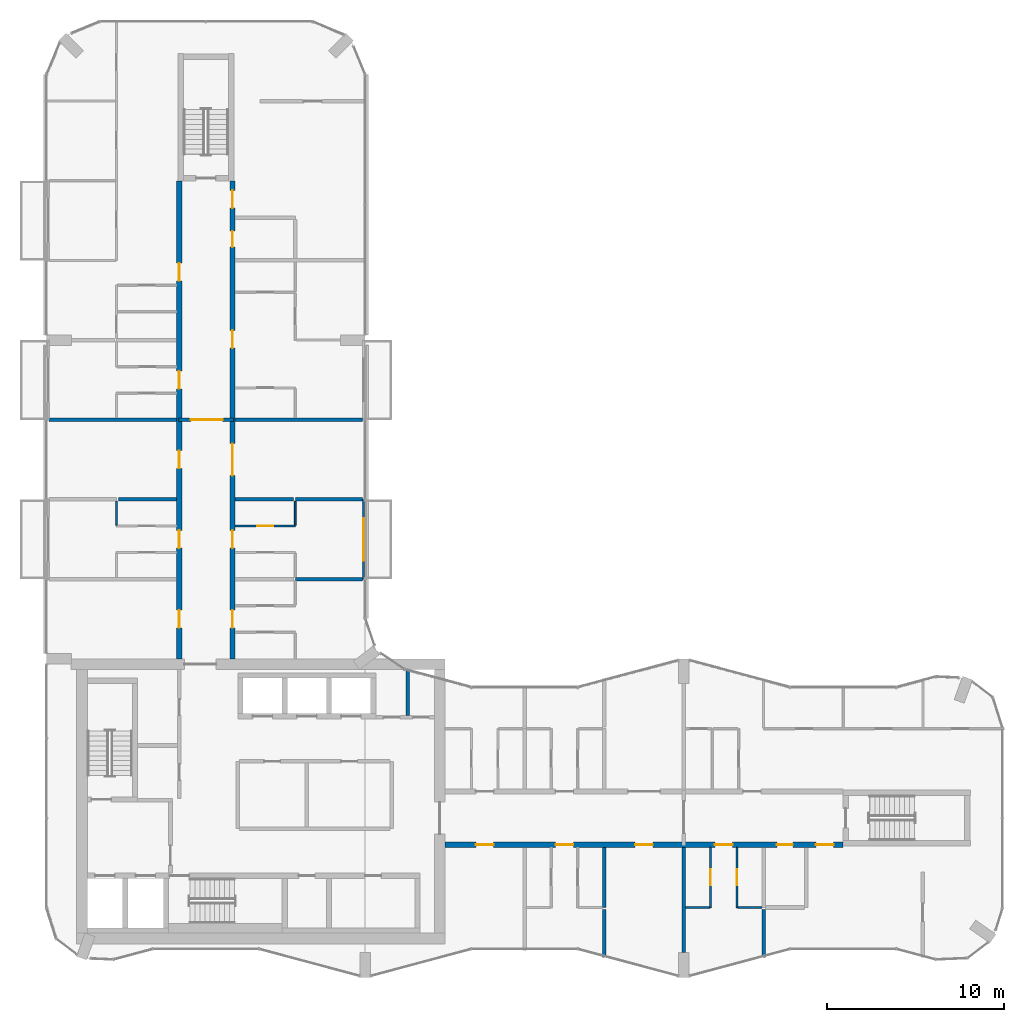
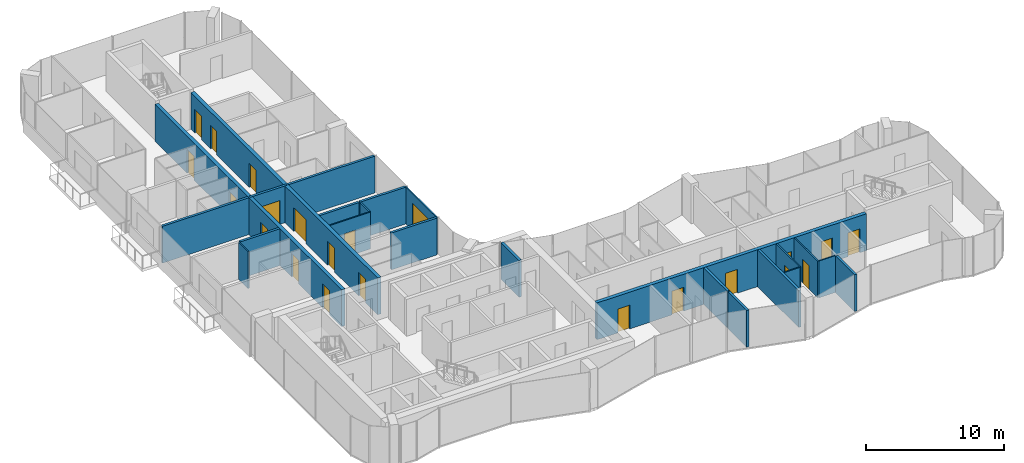
# One storey, part 11 of 16: 23 walls, 22 doors, 22 openings.
"""IFC4 building model written with IfcOpenShell, lengths in metres."""

from ifc_helpers import new_model, si_unit, direction, frame, frame_2d, origin, place, context, subcontext, project, spatial, rectangle, extrude, material, layer, layer_set, type_object, element, fill, save


model = new_model("IFC4")

# Units and contexts
model_context = context("Model", 3, precision=1e-05, world=origin(), true_north=direction((0.0, 1.0)))
body_context = subcontext(model_context, "Body", "Model", "MODEL_VIEW")
ifc_project = project(units=[si_unit("LENGTHUNIT", "METRE"), si_unit("AREAUNIT", "SQUARE_METRE"), si_unit("VOLUMEUNIT", "CUBIC_METRE"), si_unit("PLANEANGLEUNIT", "RADIAN"), si_unit("MASSUNIT", "GRAM", prefix="KILO")], contexts=[model_context])

# Site, building, storey
site_placement = place(None, origin())
site = spatial("IfcSite", under=ifc_project, at=site_placement, CompositionType="ELEMENT")
building_placement = place(site_placement, origin())
building = spatial("IfcBuilding", under=site, at=building_placement, Name="Plateau Cross Towers", CompositionType="ELEMENT")
storey_placement = place(building_placement, frame((0.0, 0.0, 163.89990234375)))
storey = spatial("IfcBuildingStorey", under=building, at=storey_placement, Name="L42", CompositionType="ELEMENT", Elevation=163.89990234375)

# Wall, opening, door
ifc_material_1 = material(Name="Aluminium framed glazing", Category="aluminium")
ifc_layer_1 = layer(ifc_material_1, 0.10009765625)
ifc_layer_set_1 = layer_set([ifc_layer_1], Name="Aluminium framed glazing")
wall_type_1 = type_object("IfcWallType", Name="Balcony screen wall 100", PredefinedType="STANDARD", material=ifc_layer_set_1)
wall_1_placement = place(storey_placement, frame((17.89990234375, 27.0, 0.0), z_axis=(0.0, 0.0, 1.0), x_axis=(0.0, -1.0, 0.0)))
wall_1 = element("IfcWall", 1, at=wall_1_placement, inside=storey, type_object=wall_type_1, Name="Balcony screen wall A-BAL-L42-04", PredefinedType="STANDARD", context=body_context, shape_type="SweptSolid", body=[
    extrude(rectangle(XDim=4.5, YDim=0.10009765625, at=frame_2d((2.25, 0.0))), origin(), (0.0, 0.0, 1.0), 3.25),
])
opening_1_placement = place(wall_1_placement, frame((1.050048828125, 0.0, 0.0)))
opening_1 = element("IfcOpeningElement", 2, at=opening_1_placement, cuts=wall_1, Name="Opening D-B24", PredefinedType="OPENING", context=body_context, shape_type="SweptSolid", body=[
    extrude(rectangle(XDim=2.39990234375, YDim=2.39990234375, at=frame_2d((1.199951171875, 1.199951171875))), frame((0.0, 0.06005859375, 0.0), z_axis=(0.0, -1.0, 0.0), x_axis=(1.0, 0.0, 0.0)), (0.0, 0.0, 1.0), 0.1201171875),
])
ifc_material_2 = material(Name="Aluminium frame, double glazing", Category="aluminium")
door_type_1 = type_object("IfcDoorType", Name="Balcony sliding door 2400", OperationType="NOTDEFINED", PredefinedType="DOOR", material=ifc_material_2)
door_1_placement = place(opening_1_placement, origin())
door_1 = element("IfcDoor", 3, at=door_1_placement, inside=storey, type_object=door_type_1, Name="Balcony door A-BAL-L42-04", OperationType="SINGLE_SWING_LEFT", OverallHeight=2.39990234375, OverallWidth=2.39990234375, PredefinedType="DOOR", context=body_context, shape_type="SweptSolid", body=[
    extrude(rectangle(XDim=2.39990234375, YDim=2.39990234375, at=frame_2d((1.199951171875, 1.199951171875))), frame((0.0, 0.02490234375, 0.0), z_axis=(0.0, -1.0, 0.0), x_axis=(1.0, 0.0, 0.0)), (0.0, 0.0, 1.0), 0.050048828125),
])
fill(opening_1, door_1)

# Wall
ifc_material_3 = material(Name="Concrete block, plastered both sides", Category="concrete")
ifc_layer_2 = layer(ifc_material_3, 0.199951171875)
ifc_layer_set_2 = layer_set([ifc_layer_2], Name="Concrete block, plastered both sides")
wall_type_2 = type_object("IfcWallType", Name="Core partition 200", PredefinedType="PARTITIONING", material=ifc_layer_set_2)
wall_2_placement = place(storey_placement, frame((20.39990234375, 14.800048828125, 0.0), z_axis=(0.0, 0.0, 1.0), x_axis=(0.0, 1.0, 0.0)))
element("IfcWall", 4, at=wall_2_placement, inside=storey, type_object=wall_type_2, Name="Core partition", PredefinedType="PARTITIONING", context=body_context, shape_type="SweptSolid", body=[
    extrude(rectangle(XDim=2.599853515625, YDim=0.199951171875, at=frame_2d((1.2998046875, 0.0))), origin(), (0.0, 0.0, 1.0), 3.25),
])

# Wall, openings, doors
ifc_material_4 = material(Name="Concrete C60/75", Category="concrete")
ifc_layer_3 = layer(ifc_material_4, 0.300048828125)
ifc_layer_set_3 = layer_set([ifc_layer_3], Name="Concrete C60/75")
wall_type_3 = type_object("IfcWallType", Name="Corridor wall 300", PredefinedType="SHEAR", material=ifc_layer_set_3)
wall_3_placement = place(storey_placement, frame((22.5, 7.5, 0.0), z_axis=(0.0, 0.0, 1.0), x_axis=(1.0, 0.0, 0.0)))
wall_3 = element("IfcWall", 5, at=wall_3_placement, inside=storey, type_object=wall_type_3, Name="A-cw-S1@L42", PredefinedType="SHEAR", context=body_context, shape_type="SweptSolid", body=[
    extrude(rectangle(XDim=22.5, YDim=0.300048828125, at=frame_2d((11.25, 0.0))), origin(), (0.0, 0.0, 1.0), 3.25),
])
opening_2_placement = place(wall_3_placement, frame((1.75, 0.0, 0.0)))
opening_2 = element("IfcOpeningElement", 6, at=opening_2_placement, cuts=wall_3, Name="Opening 42-01", PredefinedType="OPENING", context=body_context, shape_type="SweptSolid", body=[
    extrude(rectangle(XDim=1.0, YDim=2.10009765625, at=frame_2d((0.5, 1.050048828125))), frame((0.0, 0.159912109375, 0.0), z_axis=(0.0, -1.0, 0.0), x_axis=(1.0, 0.0, 0.0)), (0.0, 0.0, 1.0), 0.320068359375),
])
opening_3_placement = place(wall_3_placement, frame((6.25, 0.0, 0.0)))
opening_3 = element("IfcOpeningElement", 7, at=opening_3_placement, cuts=wall_3, Name="Opening 42-02", PredefinedType="OPENING", context=body_context, shape_type="SweptSolid", body=[
    extrude(rectangle(XDim=1.0, YDim=2.10009765625, at=frame_2d((0.5, 1.050048828125))), frame((0.0, 0.159912109375, 0.0), z_axis=(0.0, -1.0, 0.0), x_axis=(1.0, 0.0, 0.0)), (0.0, 0.0, 1.0), 0.320068359375),
])
opening_4_placement = place(wall_3_placement, frame((10.75, 0.0, 0.0)))
opening_4 = element("IfcOpeningElement", 8, at=opening_4_placement, cuts=wall_3, Name="Opening 42-03", PredefinedType="OPENING", context=body_context, shape_type="SweptSolid", body=[
    extrude(rectangle(XDim=1.0, YDim=2.10009765625, at=frame_2d((0.5, 1.050048828125))), frame((0.0, 0.159912109375, 0.0), z_axis=(0.0, -1.0, 0.0), x_axis=(1.0, 0.0, 0.0)), (0.0, 0.0, 1.0), 0.320068359375),
])
opening_5_placement = place(wall_3_placement, frame((15.25, 0.0, 0.0)))
opening_5 = element("IfcOpeningElement", 9, at=opening_5_placement, cuts=wall_3, Name="Opening 42-04", PredefinedType="OPENING", context=body_context, shape_type="SweptSolid", body=[
    extrude(rectangle(XDim=1.0, YDim=2.10009765625, at=frame_2d((0.5, 1.050048828125))), frame((0.0, 0.159912109375, 0.0), z_axis=(0.0, -1.0, 0.0), x_axis=(1.0, 0.0, 0.0)), (0.0, 0.0, 1.0), 0.320068359375),
])
opening_6_placement = place(wall_3_placement, frame((18.75, 0.0, 0.0)))
opening_6 = element("IfcOpeningElement", 10, at=opening_6_placement, cuts=wall_3, Name="Opening 42-05", PredefinedType="OPENING", context=body_context, shape_type="SweptSolid", body=[
    extrude(rectangle(XDim=0.89990234375, YDim=2.10009765625, at=frame_2d((0.449951171875, 1.050048828125))), frame((0.0, 0.159912109375, 0.0), z_axis=(0.0, -1.0, 0.0), x_axis=(1.0, 0.0, 0.0)), (0.0, 0.0, 1.0), 0.320068359375),
])
opening_7_placement = place(wall_3_placement, frame((20.949951171875, 0.0, 0.0)))
opening_7 = element("IfcOpeningElement", 11, at=opening_7_placement, cuts=wall_3, Name="Opening 42-06", PredefinedType="OPENING", context=body_context, shape_type="SweptSolid", body=[
    extrude(rectangle(XDim=1.0, YDim=2.10009765625, at=frame_2d((0.5, 1.050048828125))), frame((0.0, 0.159912109375, 0.0), z_axis=(0.0, -1.0, 0.0), x_axis=(1.0, 0.0, 0.0)), (0.0, 0.0, 1.0), 0.320068359375),
])
ifc_material_5 = material(Name="Timber, fire-resisting leaf", Category="wood")
door_type_2 = type_object("IfcDoorType", Name="Flat entrance door 1000", OperationType="NOTDEFINED", PredefinedType="DOOR", material=ifc_material_5)
door_2_placement = place(opening_2_placement, origin())
door_2 = element("IfcDoor", 12, at=door_2_placement, inside=storey, type_object=door_type_2, Name="Door 42-01", OperationType="SINGLE_SWING_LEFT", OverallHeight=2.10009765625, OverallWidth=1.0, PredefinedType="DOOR", context=body_context, shape_type="SweptSolid", body=[
    extrude(rectangle(XDim=1.0, YDim=2.10009765625, at=frame_2d((0.5, 1.050048828125))), frame((0.0, 0.02490234375, 0.0), z_axis=(0.0, -1.0, 0.0), x_axis=(1.0, 0.0, 0.0)), (0.0, 0.0, 1.0), 0.050048828125),
])
fill(opening_2, door_2)
door_3_placement = place(opening_3_placement, origin())
door_3 = element("IfcDoor", 13, at=door_3_placement, inside=storey, type_object=door_type_2, Name="Door 42-02", OperationType="SINGLE_SWING_LEFT", OverallHeight=2.10009765625, OverallWidth=1.0, PredefinedType="DOOR", context=body_context, shape_type="SweptSolid", body=[
    extrude(rectangle(XDim=1.0, YDim=2.10009765625, at=frame_2d((0.5, 1.050048828125))), frame((0.0, 0.02490234375, 0.0), z_axis=(0.0, -1.0, 0.0), x_axis=(1.0, 0.0, 0.0)), (0.0, 0.0, 1.0), 0.050048828125),
])
fill(opening_3, door_3)
door_4_placement = place(opening_4_placement, origin())
door_4 = element("IfcDoor", 14, at=door_4_placement, inside=storey, type_object=door_type_2, Name="Door 42-03", OperationType="SINGLE_SWING_LEFT", OverallHeight=2.10009765625, OverallWidth=1.0, PredefinedType="DOOR", context=body_context, shape_type="SweptSolid", body=[
    extrude(rectangle(XDim=1.0, YDim=2.10009765625, at=frame_2d((0.5, 1.050048828125))), frame((0.0, 0.02490234375, 0.0), z_axis=(0.0, -1.0, 0.0), x_axis=(1.0, 0.0, 0.0)), (0.0, 0.0, 1.0), 0.050048828125),
])
fill(opening_4, door_4)
door_5_placement = place(opening_5_placement, origin())
door_5 = element("IfcDoor", 15, at=door_5_placement, inside=storey, type_object=door_type_2, Name="Door 42-04", OperationType="SINGLE_SWING_RIGHT", OverallHeight=2.10009765625, OverallWidth=1.0, PredefinedType="DOOR", context=body_context, shape_type="SweptSolid", body=[
    extrude(rectangle(XDim=1.0, YDim=2.10009765625, at=frame_2d((0.5, 1.050048828125))), frame((0.0, 0.02490234375, 0.0), z_axis=(0.0, -1.0, 0.0), x_axis=(1.0, 0.0, 0.0)), (0.0, 0.0, 1.0), 0.050048828125),
])
fill(opening_5, door_5)
door_6_placement = place(opening_7_placement, origin())
door_6 = element("IfcDoor", 16, at=door_6_placement, inside=storey, type_object=door_type_2, Name="Door 42-06", OperationType="SINGLE_SWING_RIGHT", OverallHeight=2.10009765625, OverallWidth=1.0, PredefinedType="DOOR", context=body_context, shape_type="SweptSolid", body=[
    extrude(rectangle(XDim=1.0, YDim=2.10009765625, at=frame_2d((0.5, 1.050048828125))), frame((0.0, 0.02490234375, 0.0), z_axis=(0.0, -1.0, 0.0), x_axis=(1.0, 0.0, 0.0)), (0.0, 0.0, 1.0), 0.050048828125),
])
fill(opening_7, door_6)
door_type_3 = type_object("IfcDoorType", Name="Flat floor service door 900", OperationType="NOTDEFINED", PredefinedType="DOOR", material=ifc_material_5)
door_7_placement = place(opening_6_placement, origin())
door_7 = element("IfcDoor", 17, at=door_7_placement, inside=storey, type_object=door_type_3, Name="Door 42-05", OperationType="SINGLE_SWING_RIGHT", OverallHeight=2.10009765625, OverallWidth=0.89990234375, PredefinedType="DOOR", context=body_context, shape_type="SweptSolid", body=[
    extrude(rectangle(XDim=0.89990234375, YDim=2.10009765625, at=frame_2d((0.449951171875, 1.050048828125))), frame((0.0, 0.02490234375, 0.0), z_axis=(0.0, -1.0, 0.0), x_axis=(1.0, 0.0, 0.0)), (0.0, 0.0, 1.0), 0.050048828125),
])
fill(opening_6, door_7)

wall_4_placement = place(storey_placement, frame((7.5, 18.0, 0.0), z_axis=(0.0, 0.0, 1.0), x_axis=(0.0, 1.0, 0.0)))
wall_4 = element("IfcWall", 18, at=wall_4_placement, inside=storey, type_object=wall_type_3, Name="A-cw-W1@L42", PredefinedType="SHEAR", context=body_context, shape_type="SweptSolid", body=[
    extrude(rectangle(XDim=27.0, YDim=0.300048828125, at=frame_2d((13.5, 0.0))), origin(), (0.0, 0.0, 1.0), 3.25),
])
opening_8_placement = place(wall_4_placement, frame((1.75, 0.0, 0.0)))
opening_8 = element("IfcOpeningElement", 19, at=opening_8_placement, cuts=wall_4, Name="Opening 42-11", PredefinedType="OPENING", context=body_context, shape_type="SweptSolid", body=[
    extrude(rectangle(XDim=1.0, YDim=2.10009765625, at=frame_2d((0.5, 1.050048828125))), frame((0.0, 0.159912109375, 0.0), z_axis=(0.0, -1.0, 0.0), x_axis=(1.0, 0.0, 0.0)), (0.0, 0.0, 1.0), 0.320068359375),
])
opening_9_placement = place(wall_4_placement, frame((6.25, 0.0, 0.0)))
opening_9 = element("IfcOpeningElement", 20, at=opening_9_placement, cuts=wall_4, Name="Opening 42-12", PredefinedType="OPENING", context=body_context, shape_type="SweptSolid", body=[
    extrude(rectangle(XDim=1.0, YDim=2.10009765625, at=frame_2d((0.5, 1.050048828125))), frame((0.0, 0.159912109375, 0.0), z_axis=(0.0, -1.0, 0.0), x_axis=(1.0, 0.0, 0.0)), (0.0, 0.0, 1.0), 0.320068359375),
])
opening_10_placement = place(wall_4_placement, frame((10.75, 0.0, 0.0)))
opening_10 = element("IfcOpeningElement", 21, at=opening_10_placement, cuts=wall_4, Name="Opening 42-13", PredefinedType="OPENING", context=body_context, shape_type="SweptSolid", body=[
    extrude(rectangle(XDim=1.0, YDim=2.10009765625, at=frame_2d((0.5, 1.050048828125))), frame((0.0, 0.159912109375, 0.0), z_axis=(0.0, -1.0, 0.0), x_axis=(1.0, 0.0, 0.0)), (0.0, 0.0, 1.0), 0.320068359375),
])
opening_11_placement = place(wall_4_placement, frame((15.25, 0.0, 0.0)))
opening_11 = element("IfcOpeningElement", 22, at=opening_11_placement, cuts=wall_4, Name="Opening 42-14", PredefinedType="OPENING", context=body_context, shape_type="SweptSolid", body=[
    extrude(rectangle(XDim=1.0, YDim=2.10009765625, at=frame_2d((0.5, 1.050048828125))), frame((0.0, 0.159912109375, 0.0), z_axis=(0.0, -1.0, 0.0), x_axis=(1.0, 0.0, 0.0)), (0.0, 0.0, 1.0), 0.320068359375),
])
opening_12_placement = place(wall_4_placement, frame((21.35009765625, 0.0, 0.0)))
opening_12 = element("IfcOpeningElement", 23, at=opening_12_placement, cuts=wall_4, Name="Opening 42-15", PredefinedType="OPENING", context=body_context, shape_type="SweptSolid", body=[
    extrude(rectangle(XDim=1.0, YDim=2.10009765625, at=frame_2d((0.5, 1.050048828125))), frame((0.0, 0.159912109375, 0.0), z_axis=(0.0, -1.0, 0.0), x_axis=(1.0, 0.0, 0.0)), (0.0, 0.0, 1.0), 0.320068359375),
])
door_8_placement = place(opening_8_placement, origin())
door_8 = element("IfcDoor", 24, at=door_8_placement, inside=storey, type_object=door_type_2, Name="Door 42-11", OperationType="SINGLE_SWING_LEFT", OverallHeight=2.10009765625, OverallWidth=1.0, PredefinedType="DOOR", context=body_context, shape_type="SweptSolid", body=[
    extrude(rectangle(XDim=1.0, YDim=2.10009765625, at=frame_2d((0.5, 1.050048828125))), frame((0.0, 0.02490234375, 0.0), z_axis=(0.0, -1.0, 0.0), x_axis=(1.0, 0.0, 0.0)), (0.0, 0.0, 1.0), 0.050048828125),
])
fill(opening_8, door_8)
door_9_placement = place(opening_9_placement, origin())
door_9 = element("IfcDoor", 25, at=door_9_placement, inside=storey, type_object=door_type_2, Name="Door 42-12", OperationType="SINGLE_SWING_LEFT", OverallHeight=2.10009765625, OverallWidth=1.0, PredefinedType="DOOR", context=body_context, shape_type="SweptSolid", body=[
    extrude(rectangle(XDim=1.0, YDim=2.10009765625, at=frame_2d((0.5, 1.050048828125))), frame((0.0, 0.02490234375, 0.0), z_axis=(0.0, -1.0, 0.0), x_axis=(1.0, 0.0, 0.0)), (0.0, 0.0, 1.0), 0.050048828125),
])
fill(opening_9, door_9)
door_10_placement = place(opening_10_placement, origin())
door_10 = element("IfcDoor", 26, at=door_10_placement, inside=storey, type_object=door_type_2, Name="Door 42-13", OperationType="SINGLE_SWING_LEFT", OverallHeight=2.10009765625, OverallWidth=1.0, PredefinedType="DOOR", context=body_context, shape_type="SweptSolid", body=[
    extrude(rectangle(XDim=1.0, YDim=2.10009765625, at=frame_2d((0.5, 1.050048828125))), frame((0.0, 0.02490234375, 0.0), z_axis=(0.0, -1.0, 0.0), x_axis=(1.0, 0.0, 0.0)), (0.0, 0.0, 1.0), 0.050048828125),
])
fill(opening_10, door_10)
door_11_placement = place(opening_11_placement, origin())
door_11 = element("IfcDoor", 27, at=door_11_placement, inside=storey, type_object=door_type_2, Name="Door 42-14", OperationType="SINGLE_SWING_RIGHT", OverallHeight=2.10009765625, OverallWidth=1.0, PredefinedType="DOOR", context=body_context, shape_type="SweptSolid", body=[
    extrude(rectangle(XDim=1.0, YDim=2.10009765625, at=frame_2d((0.5, 1.050048828125))), frame((0.0, 0.02490234375, 0.0), z_axis=(0.0, -1.0, 0.0), x_axis=(1.0, 0.0, 0.0)), (0.0, 0.0, 1.0), 0.050048828125),
])
fill(opening_11, door_11)
door_12_placement = place(opening_12_placement, origin())
door_12 = element("IfcDoor", 28, at=door_12_placement, inside=storey, type_object=door_type_2, Name="Door 42-15", OperationType="SINGLE_SWING_RIGHT", OverallHeight=2.10009765625, OverallWidth=1.0, PredefinedType="DOOR", context=body_context, shape_type="SweptSolid", body=[
    extrude(rectangle(XDim=1.0, YDim=2.10009765625, at=frame_2d((0.5, 1.050048828125))), frame((0.0, 0.02490234375, 0.0), z_axis=(0.0, -1.0, 0.0), x_axis=(1.0, 0.0, 0.0)), (0.0, 0.0, 1.0), 0.050048828125),
])
fill(opening_12, door_12)

wall_5_placement = place(storey_placement, frame((10.5, 18.0, 0.0), z_axis=(0.0, 0.0, 1.0), x_axis=(0.0, 1.0, 0.0)))
wall_5 = element("IfcWall", 29, at=wall_5_placement, inside=storey, type_object=wall_type_3, Name="A-cw-W2@L42", PredefinedType="SHEAR", context=body_context, shape_type="SweptSolid", body=[
    extrude(rectangle(XDim=27.0, YDim=0.300048828125, at=frame_2d((13.5, 0.0))), origin(), (0.0, 0.0, 1.0), 3.25),
])
opening_13_placement = place(wall_5_placement, frame((1.75, 0.0, 0.0)))
opening_13 = element("IfcOpeningElement", 30, at=opening_13_placement, cuts=wall_5, Name="Opening 42-16", PredefinedType="OPENING", context=body_context, shape_type="SweptSolid", body=[
    extrude(rectangle(XDim=1.0, YDim=2.10009765625, at=frame_2d((0.5, 1.050048828125))), frame((0.0, 0.159912109375, 0.0), z_axis=(0.0, -1.0, 0.0), x_axis=(1.0, 0.0, 0.0)), (0.0, 0.0, 1.0), 0.320068359375),
])
opening_14_placement = place(wall_5_placement, frame((6.25, 0.0, 0.0)))
opening_14 = element("IfcOpeningElement", 31, at=opening_14_placement, cuts=wall_5, Name="Opening 42-17", PredefinedType="OPENING", context=body_context, shape_type="SweptSolid", body=[
    extrude(rectangle(XDim=1.0, YDim=2.10009765625, at=frame_2d((0.5, 1.050048828125))), frame((0.0, 0.159912109375, 0.0), z_axis=(0.0, -1.0, 0.0), x_axis=(1.0, 0.0, 0.0)), (0.0, 0.0, 1.0), 0.320068359375),
])
opening_15_placement = place(wall_5_placement, frame((10.35009765625, 0.0, 0.0)))
opening_15 = element("IfcOpeningElement", 32, at=opening_15_placement, cuts=wall_5, Name="Opening 42-18", PredefinedType="OPENING", context=body_context, shape_type="SweptSolid", body=[
    extrude(rectangle(XDim=1.800048828125, YDim=2.10009765625, at=frame_2d((0.89990234375, 1.050048828125))), frame((0.0, 0.159912109375, 0.0), z_axis=(0.0, -1.0, 0.0), x_axis=(1.0, 0.0, 0.0)), (0.0, 0.0, 1.0), 0.320068359375),
])
opening_16_placement = place(wall_5_placement, frame((17.550048828125, 0.0, 0.0)))
opening_16 = element("IfcOpeningElement", 33, at=opening_16_placement, cuts=wall_5, Name="Opening 42-19", PredefinedType="OPENING", context=body_context, shape_type="SweptSolid", body=[
    extrude(rectangle(XDim=1.0, YDim=2.10009765625, at=frame_2d((0.5, 1.050048828125))), frame((0.0, 0.159912109375, 0.0), z_axis=(0.0, -1.0, 0.0), x_axis=(1.0, 0.0, 0.0)), (0.0, 0.0, 1.0), 0.320068359375),
])
opening_17_placement = place(wall_5_placement, frame((23.25, 0.0, 0.0)))
opening_17 = element("IfcOpeningElement", 34, at=opening_17_placement, cuts=wall_5, Name="Opening 42-20", PredefinedType="OPENING", context=body_context, shape_type="SweptSolid", body=[
    extrude(rectangle(XDim=0.89990234375, YDim=2.10009765625, at=frame_2d((0.449951171875, 1.050048828125))), frame((0.0, 0.159912109375, 0.0), z_axis=(0.0, -1.0, 0.0), x_axis=(1.0, 0.0, 0.0)), (0.0, 0.0, 1.0), 0.320068359375),
])
opening_18_placement = place(wall_5_placement, frame((25.449951171875, 0.0, 0.0)))
opening_18 = element("IfcOpeningElement", 35, at=opening_18_placement, cuts=wall_5, Name="Opening 42-21", PredefinedType="OPENING", context=body_context, shape_type="SweptSolid", body=[
    extrude(rectangle(XDim=1.0, YDim=2.10009765625, at=frame_2d((0.5, 1.050048828125))), frame((0.0, 0.159912109375, 0.0), z_axis=(0.0, -1.0, 0.0), x_axis=(1.0, 0.0, 0.0)), (0.0, 0.0, 1.0), 0.320068359375),
])
door_13_placement = place(opening_13_placement, origin())
door_13 = element("IfcDoor", 36, at=door_13_placement, inside=storey, type_object=door_type_2, Name="Door 42-16", OperationType="SINGLE_SWING_LEFT", OverallHeight=2.10009765625, OverallWidth=1.0, PredefinedType="DOOR", context=body_context, shape_type="SweptSolid", body=[
    extrude(rectangle(XDim=1.0, YDim=2.10009765625, at=frame_2d((0.5, 1.050048828125))), frame((0.0, 0.02490234375, 0.0), z_axis=(0.0, -1.0, 0.0), x_axis=(1.0, 0.0, 0.0)), (0.0, 0.0, 1.0), 0.050048828125),
])
fill(opening_13, door_13)
door_14_placement = place(opening_14_placement, origin())
door_14 = element("IfcDoor", 37, at=door_14_placement, inside=storey, type_object=door_type_2, Name="Door 42-17", OperationType="SINGLE_SWING_LEFT", OverallHeight=2.10009765625, OverallWidth=1.0, PredefinedType="DOOR", context=body_context, shape_type="SweptSolid", body=[
    extrude(rectangle(XDim=1.0, YDim=2.10009765625, at=frame_2d((0.5, 1.050048828125))), frame((0.0, 0.02490234375, 0.0), z_axis=(0.0, -1.0, 0.0), x_axis=(1.0, 0.0, 0.0)), (0.0, 0.0, 1.0), 0.050048828125),
])
fill(opening_14, door_14)
door_15_placement = place(opening_16_placement, origin())
door_15 = element("IfcDoor", 38, at=door_15_placement, inside=storey, type_object=door_type_2, Name="Door 42-19", OperationType="SINGLE_SWING_RIGHT", OverallHeight=2.10009765625, OverallWidth=1.0, PredefinedType="DOOR", context=body_context, shape_type="SweptSolid", body=[
    extrude(rectangle(XDim=1.0, YDim=2.10009765625, at=frame_2d((0.5, 1.050048828125))), frame((0.0, 0.02490234375, 0.0), z_axis=(0.0, -1.0, 0.0), x_axis=(1.0, 0.0, 0.0)), (0.0, 0.0, 1.0), 0.050048828125),
])
fill(opening_16, door_15)
door_16_placement = place(opening_18_placement, origin())
door_16 = element("IfcDoor", 39, at=door_16_placement, inside=storey, type_object=door_type_2, Name="Door 42-21", OperationType="SINGLE_SWING_RIGHT", OverallHeight=2.10009765625, OverallWidth=1.0, PredefinedType="DOOR", context=body_context, shape_type="SweptSolid", body=[
    extrude(rectangle(XDim=1.0, YDim=2.10009765625, at=frame_2d((0.5, 1.050048828125))), frame((0.0, 0.02490234375, 0.0), z_axis=(0.0, -1.0, 0.0), x_axis=(1.0, 0.0, 0.0)), (0.0, 0.0, 1.0), 0.050048828125),
])
fill(opening_18, door_16)
ifc_material_6 = material(Name="Timber, fire-resisting leaves", Category="wood")
door_type_4 = type_object("IfcDoorType", Name="Flat floor fire door pair 1800", OperationType="NOTDEFINED", PredefinedType="DOOR", material=ifc_material_6)
door_17_placement = place(opening_15_placement, origin())
door_17 = element("IfcDoor", 40, at=door_17_placement, inside=storey, type_object=door_type_4, Name="Door 42-18", OperationType="SINGLE_SWING_LEFT", OverallHeight=2.10009765625, OverallWidth=1.800048828125, PredefinedType="DOOR", context=body_context, shape_type="SweptSolid", body=[
    extrude(rectangle(XDim=1.800048828125, YDim=2.10009765625, at=frame_2d((0.89990234375, 1.050048828125))), frame((0.0, 0.02490234375, 0.0), z_axis=(0.0, -1.0, 0.0), x_axis=(1.0, 0.0, 0.0)), (0.0, 0.0, 1.0), 0.050048828125),
])
fill(opening_15, door_17)
door_18_placement = place(opening_17_placement, origin())
door_18 = element("IfcDoor", 41, at=door_18_placement, inside=storey, type_object=door_type_3, Name="Door 42-20", OperationType="SINGLE_SWING_RIGHT", OverallHeight=2.10009765625, OverallWidth=0.89990234375, PredefinedType="DOOR", context=body_context, shape_type="SweptSolid", body=[
    extrude(rectangle(XDim=0.89990234375, YDim=2.10009765625, at=frame_2d((0.449951171875, 1.050048828125))), frame((0.0, 0.02490234375, 0.0), z_axis=(0.0, -1.0, 0.0), x_axis=(1.0, 0.0, 0.0)), (0.0, 0.0, 1.0), 0.050048828125),
])
fill(opening_17, door_18)

# Walls
ifc_material_7 = material(Name="Gypsum board on steel studs", Category="steel")
ifc_layer_4 = layer(ifc_material_7, 0.10009765625)
ifc_layer_set_4 = layer_set([ifc_layer_4], Name="Gypsum board on steel studs")
wall_type_4 = type_object("IfcWallType", Name="Flat partition 100", PredefinedType="PARTITIONING", material=ifc_layer_set_4)
for number, where, z_axis, x_axis, name in (
    (42, (36.10009765625, 3.949951171875, 0.0), (0.0, 0.0, 1.0), (1.0, 0.0, 0.0), "Partition wall"),
    (43, (39.050048828125, 3.949951171875, 0.0), (0.0, 0.0, 1.0), (1.0, 0.0, 0.0), "Partition wall"),
):
    element("IfcWall", number, at=place(storey_placement, frame(where, z_axis=z_axis, x_axis=x_axis)), inside=storey, type_object=wall_type_4, Name=name, PredefinedType="PARTITIONING", context=body_context, shape_type="SweptSolid", body=[
        extrude(rectangle(XDim=1.349853515625, YDim=0.10009765625, at=frame_2d((0.6748046875, 0.0))), origin(), (0.0, 0.0, 1.0), 3.25),
    ])

# Wall, opening, door
wall_6_placement = place(storey_placement, frame((10.64990234375, 25.5, 0.0), z_axis=(0.0, 0.0, 1.0), x_axis=(1.0, 0.0, 0.0)))
wall_6 = element("IfcWall", 44, at=wall_6_placement, inside=storey, type_object=wall_type_4, Name="Partition wall", PredefinedType="PARTITIONING", context=body_context, shape_type="SweptSolid", body=[
    extrude(rectangle(XDim=3.400146484375, YDim=0.10009765625, at=frame_2d((1.7001953125, 0.0))), origin(), (0.0, 0.0, 1.0), 3.25),
])
opening_19_placement = place(wall_6_placement, frame((1.25, 0.0, 0.0)))
opening_19 = element("IfcOpeningElement", 45, at=opening_19_placement, cuts=wall_6, Name="Opening 42-51", PredefinedType="OPENING", context=body_context, shape_type="SweptSolid", body=[
    extrude(rectangle(XDim=0.89990234375, YDim=2.10009765625, at=frame_2d((0.449951171875, 1.050048828125))), frame((0.0, 0.06005859375, 0.0), z_axis=(0.0, -1.0, 0.0), x_axis=(1.0, 0.0, 0.0)), (0.0, 0.0, 1.0), 0.1201171875),
])
ifc_material_8 = material(Name="Timber leaf", Category="wood")
door_type_5 = type_object("IfcDoorType", Name="Flat room door 900", OperationType="NOTDEFINED", PredefinedType="DOOR", material=ifc_material_8)
door_19_placement = place(opening_19_placement, origin())
door_19 = element("IfcDoor", 46, at=door_19_placement, inside=storey, type_object=door_type_5, Name="Door 42-51", OperationType="SINGLE_SWING_LEFT", OverallHeight=2.10009765625, OverallWidth=0.89990234375, PredefinedType="DOOR", context=body_context, shape_type="SweptSolid", body=[
    extrude(rectangle(XDim=0.89990234375, YDim=2.10009765625, at=frame_2d((0.449951171875, 1.050048828125))), frame((0.0, 0.02490234375, 0.0), z_axis=(0.0, -1.0, 0.0), x_axis=(1.0, 0.0, 0.0)), (0.0, 0.0, 1.0), 0.050048828125),
])
fill(opening_19, door_19)

# Walls
for number, where, z_axis, x_axis, name in (
    (47, (3.949951171875, 26.89990234375, 0.0), (0.0, 0.0, 1.0), (0.0, -1.0, 0.0), "Partition wall"),
    (48, (14.050048828125, 25.550048828125, 0.0), (0.0, 0.0, 1.0), (0.0, 1.0, 0.0), "Partition wall"),
):
    element("IfcWall", number, at=place(storey_placement, frame(where, z_axis=z_axis, x_axis=x_axis)), inside=storey, type_object=wall_type_4, Name=name, PredefinedType="PARTITIONING", context=body_context, shape_type="SweptSolid", body=[
        extrude(rectangle(XDim=1.349853515625, YDim=0.10009765625, at=frame_2d((0.6748046875, 0.0))), origin(), (0.0, 0.0, 1.0), 3.25),
    ])

# Wall, opening, door
wall_7_placement = place(storey_placement, frame((37.5, 3.949951171875, 0.0), z_axis=(0.0, 0.0, 1.0), x_axis=(0.0, 1.0, 0.0)))
wall_7 = element("IfcWall", 49, at=wall_7_placement, inside=storey, type_object=wall_type_4, Name="Partition wall", PredefinedType="PARTITIONING", context=body_context, shape_type="SweptSolid", body=[
    extrude(rectangle(XDim=3.400146484375, YDim=0.10009765625, at=frame_2d((1.7001953125, 0.0))), origin(), (0.0, 0.0, 1.0), 3.25),
])
opening_20_placement = place(wall_7_placement, frame((1.25, 0.0, 0.0)))
opening_20 = element("IfcOpeningElement", 50, at=opening_20_placement, cuts=wall_7, Name="Opening 42-28", PredefinedType="OPENING", context=body_context, shape_type="SweptSolid", body=[
    extrude(rectangle(XDim=0.89990234375, YDim=2.10009765625, at=frame_2d((0.449951171875, 1.050048828125))), frame((0.0, 0.06005859375, 0.0), z_axis=(0.0, -1.0, 0.0), x_axis=(1.0, 0.0, 0.0)), (0.0, 0.0, 1.0), 0.1201171875),
])
door_20_placement = place(opening_20_placement, origin())
door_20 = element("IfcDoor", 51, at=door_20_placement, inside=storey, type_object=door_type_5, Name="Door 42-28", OperationType="SINGLE_SWING_RIGHT", OverallHeight=2.10009765625, OverallWidth=0.89990234375, PredefinedType="DOOR", context=body_context, shape_type="SweptSolid", body=[
    extrude(rectangle(XDim=0.89990234375, YDim=2.10009765625, at=frame_2d((0.449951171875, 1.050048828125))), frame((0.0, 0.02490234375, 0.0), z_axis=(0.0, -1.0, 0.0), x_axis=(1.0, 0.0, 0.0)), (0.0, 0.0, 1.0), 0.050048828125),
])
fill(opening_20, door_20)

wall_8_placement = place(storey_placement, frame((39.0, 7.35009765625, 0.0), z_axis=(0.0, 0.0, 1.0), x_axis=(0.0, -1.0, 0.0)))
wall_8 = element("IfcWall", 52, at=wall_8_placement, inside=storey, type_object=wall_type_4, Name="Partition wall", PredefinedType="PARTITIONING", context=body_context, shape_type="SweptSolid", body=[
    extrude(rectangle(XDim=3.400146484375, YDim=0.10009765625, at=frame_2d((1.7001953125, 0.0))), origin(), (0.0, 0.0, 1.0), 3.25),
])
opening_21_placement = place(wall_8_placement, frame((1.25, 0.0, 0.0)))
opening_21 = element("IfcOpeningElement", 53, at=opening_21_placement, cuts=wall_8, Name="Opening 42-29", PredefinedType="OPENING", context=body_context, shape_type="SweptSolid", body=[
    extrude(rectangle(XDim=0.89990234375, YDim=2.10009765625, at=frame_2d((0.449951171875, 1.050048828125))), frame((0.0, 0.06005859375, 0.0), z_axis=(0.0, -1.0, 0.0), x_axis=(1.0, 0.0, 0.0)), (0.0, 0.0, 1.0), 0.1201171875),
])
door_21_placement = place(opening_21_placement, origin())
door_21 = element("IfcDoor", 54, at=door_21_placement, inside=storey, type_object=door_type_5, Name="Door 42-29", OperationType="SINGLE_SWING_RIGHT", OverallHeight=2.10009765625, OverallWidth=0.89990234375, PredefinedType="DOOR", context=body_context, shape_type="SweptSolid", body=[
    extrude(rectangle(XDim=0.89990234375, YDim=2.10009765625, at=frame_2d((0.449951171875, 1.050048828125))), frame((0.0, 0.02490234375, 0.0), z_axis=(0.0, -1.0, 0.0), x_axis=(1.0, 0.0, 0.0)), (0.0, 0.0, 1.0), 0.050048828125),
])
fill(opening_21, door_21)

# Walls
ifc_material_9 = material(Name="Gypsum board on steel studs, two layers each side", Category="steel")
ifc_layer_5 = layer(ifc_material_9, 0.199951171875)
ifc_layer_set_5 = layer_set([ifc_layer_5], Name="Gypsum board on steel studs, two layers each side")
wall_type_5 = type_object("IfcWallType", Name="Flat party wall 200", PredefinedType="PARTITIONING", material=ifc_layer_set_5)
wall_9_placement = place(storey_placement, frame((14.050048828125, 22.5, 0.0), z_axis=(0.0, 0.0, 1.0), x_axis=(1.0, 0.0, 0.0)))
element("IfcWall", 55, at=wall_9_placement, inside=storey, type_object=wall_type_5, Name="Party wall", PredefinedType="PARTITIONING", context=body_context, shape_type="SweptSolid", body=[
    extrude(rectangle(XDim=3.800048828125, YDim=0.199951171875, at=frame_2d((1.89990234375, 0.0))), origin(), (0.0, 0.0, 1.0), 3.25),
])
for number, where, z_axis, x_axis, name in (
    (56, (7.35009765625, 27.0, 0.0), (0.0, 0.0, 1.0), (-1.0, 0.0, 0.0), "Party wall"),
    (57, (13.949951171875, 27.0, 0.0), (0.0, 0.0, 1.0), (-1.0, 0.0, 0.0), "Party wall"),
):
    element("IfcWall", number, at=place(storey_placement, frame(where, z_axis=z_axis, x_axis=x_axis)), inside=storey, type_object=wall_type_5, Name=name, PredefinedType="PARTITIONING", context=body_context, shape_type="SweptSolid", body=[
        extrude(rectangle(XDim=3.300048828125, YDim=0.199951171875, at=frame_2d((1.64990234375, 0.0))), origin(), (0.0, 0.0, 1.0), 3.25),
    ])
wall_10_placement = place(storey_placement, frame((14.050048828125, 27.0, 0.0), z_axis=(0.0, 0.0, 1.0), x_axis=(1.0, 0.0, 0.0)))
element("IfcWall", 58, at=wall_10_placement, inside=storey, type_object=wall_type_5, Name="Party wall", PredefinedType="PARTITIONING", context=body_context, shape_type="SweptSolid", body=[
    extrude(rectangle(XDim=3.800048828125, YDim=0.199951171875, at=frame_2d((1.89990234375, 0.0))), origin(), (0.0, 0.0, 1.0), 3.25),
])
for number, where, z_axis, x_axis, name in (
    (59, (7.35009765625, 31.5, 0.0), (0.0, 0.0, 1.0), (-1.0, 0.0, 0.0), "Party wall"),
    (60, (17.85009765625, 31.5, 0.0), (0.0, 0.0, 1.0), (-1.0, 0.0, 0.0), "Party wall"),
):
    element("IfcWall", number, at=place(storey_placement, frame(where, z_axis=z_axis, x_axis=x_axis)), inside=storey, type_object=wall_type_5, Name=name, PredefinedType="PARTITIONING", context=body_context, shape_type="SweptSolid", body=[
        extrude(rectangle(XDim=7.2001953125, YDim=0.199951171875, at=frame_2d((3.60009765625, 0.0))), origin(), (0.0, 0.0, 1.0), 3.25),
    ])
wall_11_placement = place(storey_placement, frame((31.5, 3.85009765625, 0.0), z_axis=(0.0, 0.0, 1.0), x_axis=(0.0, -1.0, 0.0)))
element("IfcWall", 61, at=wall_11_placement, inside=storey, type_object=wall_type_5, Name="Party wall", PredefinedType="PARTITIONING", context=body_context, shape_type="SweptSolid", body=[
    extrude(rectangle(XDim=2.727783203125, YDim=0.199951171875, at=frame_2d((1.36376953125, 0.0))), origin(), (0.0, 0.0, 1.0), 3.25),
])
wall_12_placement = place(storey_placement, frame((31.5, 3.949951171875, 0.0), z_axis=(0.0, 0.0, 1.0), x_axis=(0.0, 1.0, 0.0)))
element("IfcWall", 62, at=wall_12_placement, inside=storey, type_object=wall_type_5, Name="Party wall", PredefinedType="PARTITIONING", context=body_context, shape_type="SweptSolid", body=[
    extrude(rectangle(XDim=3.400146484375, YDim=0.199951171875, at=frame_2d((1.7001953125, 0.0))), origin(), (0.0, 0.0, 1.0), 3.25),
])
wall_13_placement = place(storey_placement, frame((36.0, 1.39990234375, 0.0), z_axis=(0.0, 0.0, 1.0), x_axis=(0.0, 1.0, 0.0)))
element("IfcWall", 63, at=wall_13_placement, inside=storey, type_object=wall_type_5, Name="Party wall", PredefinedType="PARTITIONING", context=body_context, shape_type="SweptSolid", body=[
    extrude(rectangle(XDim=5.9501953125, YDim=0.199951171875, at=frame_2d((2.97509765625, 0.0))), origin(), (0.0, 0.0, 1.0), 3.25),
])
wall_14_placement = place(storey_placement, frame((40.5, 3.85009765625, 0.0), z_axis=(0.0, 0.0, 1.0), x_axis=(0.0, -1.0, 0.0)))
element("IfcWall", 64, at=wall_14_placement, inside=storey, type_object=wall_type_5, Name="Party wall", PredefinedType="PARTITIONING", context=body_context, shape_type="SweptSolid", body=[
    extrude(rectangle(XDim=2.727783203125, YDim=0.199951171875, at=frame_2d((1.36376953125, 0.0))), origin(), (0.0, 0.0, 1.0), 3.25),
])

# Wall, opening, door
wall_15_placement = place(storey_placement, frame((7.449951171875, 31.5, 0.0), z_axis=(0.0, 0.0, 1.0), x_axis=(1.0, 0.0, 0.0)))
wall_15 = element("IfcWall", 65, at=wall_15_placement, inside=storey, type_object=wall_type_5, Name="Party wall", PredefinedType="PARTITIONING", context=body_context, shape_type="SweptSolid", body=[
    extrude(rectangle(XDim=3.10009765625, YDim=0.199951171875, at=frame_2d((1.550048828125, 0.0))), origin(), (0.0, 0.0, 1.0), 3.25),
])
opening_22_placement = place(wall_15_placement, frame((0.699951171875, 0.0, 0.0)))
opening_22 = element("IfcOpeningElement", 66, at=opening_22_placement, cuts=wall_15, Name="Opening 42-23", PredefinedType="OPENING", context=body_context, shape_type="SweptSolid", body=[
    extrude(rectangle(XDim=1.800048828125, YDim=2.10009765625, at=frame_2d((0.89990234375, 1.050048828125))), frame((0.0, 0.10986328125, 0.0), z_axis=(0.0, -1.0, 0.0), x_axis=(1.0, 0.0, 0.0)), (0.0, 0.0, 1.0), 0.219970703125),
])
door_22_placement = place(opening_22_placement, origin())
door_22 = element("IfcDoor", 67, at=door_22_placement, inside=storey, type_object=door_type_4, Name="Door 42-23", OperationType="SINGLE_SWING_RIGHT", OverallHeight=2.10009765625, OverallWidth=1.800048828125, PredefinedType="DOOR", context=body_context, shape_type="SweptSolid", body=[
    extrude(rectangle(XDim=1.800048828125, YDim=2.10009765625, at=frame_2d((0.89990234375, 1.050048828125))), frame((0.0, 0.02490234375, 0.0), z_axis=(0.0, -1.0, 0.0), x_axis=(1.0, 0.0, 0.0)), (0.0, 0.0, 1.0), 0.050048828125),
])
fill(opening_22, door_22)

save(model, "model.ifc")
